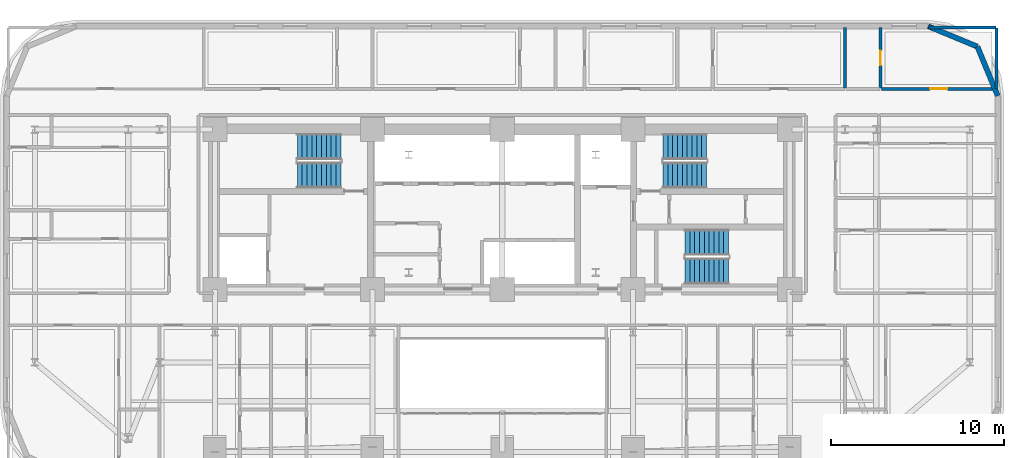
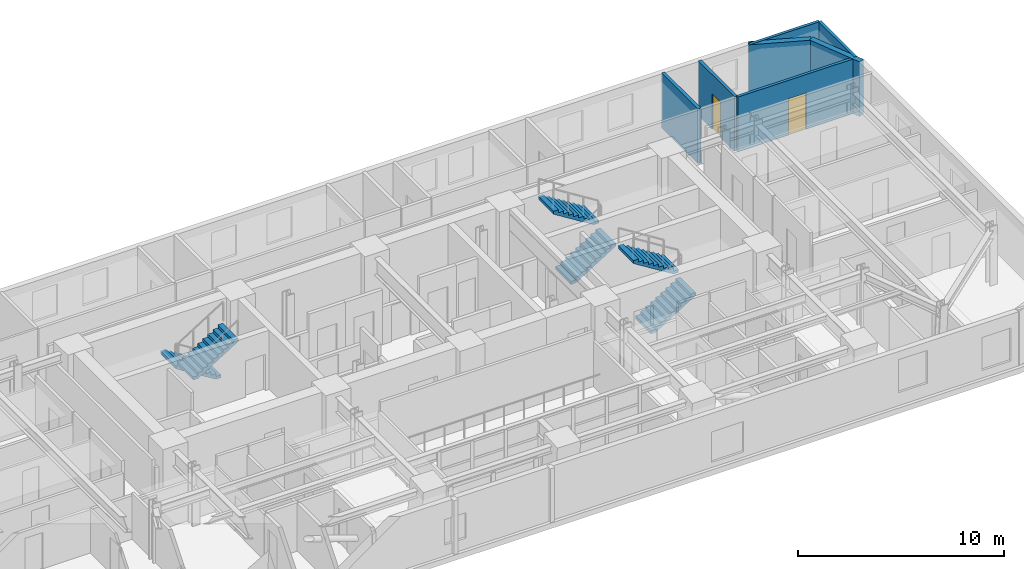
# One storey, part 13 of 16: 7 walls, 6 stair flights, 2 doors, 2 openings, 3 elements without a shape of their own.
"""IFC4 building model written with IfcOpenShell, lengths in metres."""

import ifcopenshell
import ifcopenshell.guid

model = None  # the IFC model being written
_history = None  # IfcOwnerHistory: only IFC2X3 demands one
_inside = {}  # id of a spatial element -> (the spatial element, [elements in it])
_under = {}  # id of a project, library or spatial element -> (it, [spatial elements below it])
_declared = {}  # id of a project -> (the project, [libraries it declares])
_typed = {}  # id of a type object -> (the type object, [elements of that type])
_made_of = {}  # id of a material, layer set ... -> (it, [elements and type objects made of it])


def new_model(schema):
    """Start an empty IFC model of exactly this schema.

    Asked for "IFC4X3", IfcOpenShell would pick the latest addendum, in which some entities
    have other attributes; the version numbers below select the first issue.
    IFC2X3 requires an IfcOwnerHistory on every rooted entity: one is made here for all.
    """
    global model, _history
    if schema == "IFC4X3":
        model = ifcopenshell.file(schema_version=(4, 3, 0, 0))
    else:
        model = ifcopenshell.file(schema=schema)
    _inside.clear()
    _under.clear()
    _declared.clear()
    _typed.clear()
    _made_of.clear()
    _history = None
    if model.schema == "IFC2X3":
        org = make("IfcOrganization", Name="unknown")
        user = make(
            "IfcPersonAndOrganization",
            ThePerson=make("IfcPerson", FamilyName="unknown"),
            TheOrganization=org,
        )
        app = make(
            "IfcApplication",
            ApplicationDeveloper=org,
            Version="unknown",
            ApplicationFullName="unknown",
            ApplicationIdentifier="unknown",
        )
        _history = make(
            "IfcOwnerHistory",
            OwningUser=user,
            OwningApplication=app,
            ChangeAction="ADDED",
            CreationDate=0,
        )
    return model


def make(cls, **values):
    """One entity of the class cls with the attributes given. An attribute that is None is left unset."""
    return model.create_entity(
        cls, **{name: value for name, value in values.items() if value is not None}
    )


def rooted(cls, **values):
    """An entity with a GlobalId (a new one), such as an element, a storey or a relation."""
    return make(cls, GlobalId=ifcopenshell.guid.new(), OwnerHistory=_history, **values)


def si_unit(unit_type, name, prefix=None):
    """IfcSIUnit, for example si_unit("LENGTHUNIT", "METRE", prefix="MILLI")."""
    return make("IfcSIUnit", UnitType=unit_type, Prefix=prefix, Name=name)


def assignment(units):
    """IfcUnitAssignment: the units of a project."""
    return None if units is None else make("IfcUnitAssignment", Units=units)


def point(xyz):
    """IfcCartesianPoint."""
    return None if xyz is None else make("IfcCartesianPoint", Coordinates=xyz)


def direction(xyz):
    """IfcDirection."""
    return None if xyz is None else make("IfcDirection", DirectionRatios=xyz)


def frame(location, z_axis=None, x_axis=None):
    """IfcAxis2Placement3D, a coordinate frame: its origin and axes. An axis left out is left unset."""
    return make(
        "IfcAxis2Placement3D",
        Location=point(location),
        Axis=direction(z_axis),
        RefDirection=direction(x_axis),
    )


def frame_2d(location, x_axis=None):
    """IfcAxis2Placement2D, a coordinate frame in the plane: its origin and x axis."""
    return make(
        "IfcAxis2Placement2D", Location=point(location), RefDirection=direction(x_axis)
    )


def origin():
    """The frame at (0, 0, 0) with its axes left unset."""
    return frame((0.0, 0.0, 0.0))


def place(relative_to, where):
    """IfcLocalPlacement: puts the frame where relative to a parent placement (None: the world)."""
    return make(
        "IfcLocalPlacement", PlacementRelTo=relative_to, RelativePlacement=where
    )


def context(
    kind, dimensions, precision=None, world=None, true_north=None, identifier=None
):
    """IfcGeometricRepresentationContext, for example the 3D "Model" context."""
    return make(
        "IfcGeometricRepresentationContext",
        ContextIdentifier=identifier,
        ContextType=kind,
        CoordinateSpaceDimension=dimensions,
        Precision=precision,
        WorldCoordinateSystem=world,
        TrueNorth=true_north,
    )


def subcontext(parent, identifier, kind, view, scale=None):
    """IfcGeometricRepresentationSubContext, for example "Body" below "Model"."""
    return make(
        "IfcGeometricRepresentationSubContext",
        ContextIdentifier=identifier,
        ContextType=kind,
        ParentContext=parent,
        TargetScale=scale,
        TargetView=view,
    )


def project(units=None, contexts=None):
    """IfcProject with its units and contexts."""
    return rooted(
        "IfcProject",
        Name="project",
        RepresentationContexts=contexts,
        UnitsInContext=assignment(units),
    )


def spatial(cls, under=None, at=None, **own):
    """A site, building, storey or space (cls), placed at a placement, below another one or the project."""
    s = rooted(cls, ObjectPlacement=at, **own)
    if under is not None:
        _under.setdefault(under.id(), (under, []))[1].append(s)
    return s


def polyline(points):
    """IfcPolyline through the points."""
    return make("IfcPolyline", Points=[point(p) for p in points])


def profile(cls, at=None, kind="AREA", **sizes):
    """A parametric profile (cls). Its sizes go by their IFC names, for example OverallWidth=200.0."""
    return make(cls, ProfileType=kind, Position=at, **sizes)


def rectangle(**sizes):
    """IfcRectangleProfileDef."""
    return profile("IfcRectangleProfileDef", **sizes)


def outline(outer, holes=None, kind="AREA"):
    """IfcArbitraryClosedProfileDef: a profile drawn as a closed curve; with holes, ...WithVoids."""
    if holes is None:
        return make("IfcArbitraryClosedProfileDef", ProfileType=kind, OuterCurve=outer)
    return make(
        "IfcArbitraryProfileDefWithVoids",
        ProfileType=kind,
        OuterCurve=outer,
        InnerCurves=holes,
    )


def extrude(swept, where, along, depth):
    """IfcExtrudedAreaSolid: the profile swept, set in the frame where, extruded along a direction by depth."""
    return make(
        "IfcExtrudedAreaSolid",
        SweptArea=swept,
        Position=where,
        ExtrudedDirection=direction(along),
        Depth=depth,
    )


def shape(context_of_items, identifier, shape_type, items):
    """IfcShapeRepresentation: the items that make up one representation, for example the "Body"."""
    return make(
        "IfcShapeRepresentation",
        ContextOfItems=context_of_items,
        RepresentationIdentifier=identifier,
        RepresentationType=shape_type,
        Items=items,
    )


def material(Name=None, Category=None):
    """IfcMaterial."""
    return make("IfcMaterial", Name=Name, Category=Category)


def layer(
    of_material, thickness, ventilated=None, Name=None, Category=None, Priority=None
):
    """IfcMaterialLayer: one layer of a wall or slab, of a material (None: an air gap)."""
    return make(
        "IfcMaterialLayer",
        Material=of_material,
        LayerThickness=thickness,
        IsVentilated=ventilated,
        Name=Name,
        Category=Category,
        Priority=Priority,
    )


def layer_set(layers, Name=None):
    """IfcMaterialLayerSet."""
    return make("IfcMaterialLayerSet", MaterialLayers=layers, LayerSetName=Name)


def made_of(thing, what):
    """Note that an element or type object is made of a material, layer set ...; save() writes the relation."""
    if what is not None:
        _made_of.setdefault(what.id(), (what, []))[1].append(thing)
    return thing


def type_object(cls, material=None, **own):
    """A type object (cls), such as IfcWallType, which elements share."""
    return made_of(rooted(cls, **own), material)


def element(
    cls,
    number,
    at=None,
    inside=None,
    cuts=None,
    type_object=None,
    material=None,
    context=None,
    identifier="Body",
    shape_type=None,
    held_by="IfcProductDefinitionShape",
    body=None,
    shapes=None,
    **own,
):
    """One element of the class cls, such as IfcWall. Its Tag is "e" and its number.

    at: its placement. inside: the storey or other place that contains it. cuts: it is an
    opening in that element (IfcRelVoidsElement). A single representation is given by context,
    identifier, shape_type and body (its items); several are given by shapes. held_by: the class
    of the entity that holds the representations. save() writes the other relations.
    """
    e = rooted(cls, Tag="e%d" % number, ObjectPlacement=at, **own)
    if body is not None:
        shapes = [shape(context, identifier, shape_type, body)]
    if shapes is not None:
        e.Representation = make(held_by, Representations=shapes)
    if inside is not None:
        _inside.setdefault(inside.id(), (inside, []))[1].append(e)
    if cuts is not None:
        rooted(
            "IfcRelVoidsElement", RelatingBuildingElement=cuts, RelatedOpeningElement=e
        )
    if type_object is not None:
        _typed.setdefault(type_object.id(), (type_object, []))[1].append(e)
    return made_of(e, material)


def fill(opening, filler):
    """IfcRelFillsElement: the door or window that sits in an opening."""
    return rooted(
        "IfcRelFillsElement",
        RelatingOpeningElement=opening,
        RelatedBuildingElement=filler,
    )


def aggregate(whole, parts):
    """IfcRelAggregates: a whole, such as a stair, and the parts it consists of."""
    return rooted("IfcRelAggregates", RelatingObject=whole, RelatedObjects=parts)


def save(model, path):
    """Write the relations noted so far, then the file.

    IfcRelAggregates (storeys below a building ...), IfcRelContainedInSpatialStructure (elements
    in a storey), IfcRelDefinesByType, IfcRelAssociatesMaterial and IfcRelDeclares: one each for
    every whole, place, type object, material and project.
    """
    for whole, parts in _under.values():
        aggregate(whole, parts)
    for where, things in _inside.values():
        rooted(
            "IfcRelContainedInSpatialStructure",
            RelatedElements=things,
            RelatingStructure=where,
        )
    for kind, things in _typed.values():
        rooted("IfcRelDefinesByType", RelatedObjects=things, RelatingType=kind)
    for what, things in _made_of.values():
        rooted("IfcRelAssociatesMaterial", RelatedObjects=things, RelatingMaterial=what)
    for by, libraries in _declared.values():
        rooted("IfcRelDeclares", RelatingContext=by, RelatedDefinitions=libraries)
    model.write(path)


model = new_model("IFC4")

# Units and contexts
model_context = context("Model", 3, precision=1e-05, world=origin(), true_north=direction((0.0, 1.0)))
body_context = subcontext(model_context, "Body", "Model", "MODEL_VIEW")
ifc_project = project(units=[si_unit("LENGTHUNIT", "METRE"), si_unit("AREAUNIT", "SQUARE_METRE"), si_unit("VOLUMEUNIT", "CUBIC_METRE"), si_unit("PLANEANGLEUNIT", "RADIAN"), si_unit("MASSUNIT", "GRAM", prefix="KILO")], contexts=[model_context])

# Site, building, storey
site_placement = place(None, origin())
site = spatial("IfcSite", under=ifc_project, at=site_placement, CompositionType="ELEMENT")
building_placement = place(site_placement, origin())
building = spatial("IfcBuilding", under=site, at=building_placement, Name="Zarnavel Station Tower", CompositionType="ELEMENT")
storey_placement = place(building_placement, frame((0.0, 0.0, 82.800048828125)))
storey = spatial("IfcBuildingStorey", under=building, at=storey_placement, Name="L22", CompositionType="ELEMENT", Elevation=82.800048828125)

# Walls
ifc_material_1 = material(Name="Precast concrete C45/55 (Dark Basalt Finish)", Category="masonry")
ifc_layer_1 = layer(ifc_material_1, 0.300048828125)
ifc_layer_set_1 = layer_set([ifc_layer_1], Name="EW_BASALT_300")
wall_type_1 = type_object("IfcWallType", Name="EW_BASALT_300", PredefinedType="SOLIDWALL", material=ifc_layer_set_1)
wall_1_placement = place(storey_placement, frame((56.24267578125, 41.842529296875, 0.0), z_axis=(0.0, 0.0, 1.0), x_axis=(0.382636798336, -0.92389884758, 0.0)))
element("IfcWall", 1, at=wall_1_placement, inside=storey, type_object=wall_type_1, Name="L22 Exterior Basalt Masonry Frame Wall 04", PredefinedType="SOLIDWALL", context=body_context, shape_type="SweptSolid", body=[
    extrude(rectangle(XDim=3.07666015625, YDim=0.300048828125, at=frame_2d((1.538330078125, 0.0))), origin(), (0.0, 0.0, 1.0), 3.239990234375),
])
wall_2_placement = place(storey_placement, frame((53.39990234375, 43.02001953125, 0.0), z_axis=(0.0, 0.0, 1.0), x_axis=(0.923882414032, -0.382676475685, 0.0)))
element("IfcWall", 2, at=wall_2_placement, inside=storey, type_object=wall_type_1, Name="L22 Exterior Basalt Masonry Frame Wall 05", PredefinedType="SOLIDWALL", context=body_context, shape_type="SweptSolid", body=[
    extrude(rectangle(XDim=3.076904296875, YDim=0.300048828125, at=frame_2d((1.53857421875, 0.0))), origin(), (0.0, 0.0, 1.0), 3.239990234375),
])

# Wall, opening, door
ifc_material_2 = material(Name="Gypsum Twin-Stud Acoustic Fire Partition", Category="concrete")
ifc_layer_2 = layer(ifc_material_2, 0.159912109375)
ifc_layer_set_2 = layer_set([ifc_layer_2], Name="PT_DEMISE_160")
wall_type_2 = type_object("IfcWallType", Name="PT_DEMISE_160", PredefinedType="PARTITIONING", material=ifc_layer_set_2)
wall_3_placement = place(storey_placement, frame((50.68994140625, 39.39990234375, 0.0), z_axis=(0.0, 0.0, 1.0), x_axis=(1.0, 0.0, 0.0)))
wall_3 = element("IfcWall", 3, at=wall_3_placement, inside=storey, type_object=wall_type_2, Name="L22 Partition COR-N-HN5R", PredefinedType="PARTITIONING", context=body_context, shape_type="SweptSolid", body=[
    extrude(rectangle(XDim=6.650146484375, YDim=0.159912109375, at=frame_2d((3.3251953125, 0.0))), origin(), (0.0, 0.0, 1.0), 3.239990234375),
])
opening_1_placement = place(wall_3_placement, frame((2.824951171875, 0.0, 0.0)))
opening_1 = element("IfcOpeningElement", 4, at=opening_1_placement, cuts=wall_3, Name="Opening FD02", PredefinedType="OPENING", context=body_context, shape_type="SweptSolid", body=[
    extrude(rectangle(XDim=1.0, YDim=2.14990234375, at=frame_2d((0.5, 1.074951171875))), frame((0.0, 0.08984375, 0.0), z_axis=(0.0, -1.0, 0.0), x_axis=(1.0, 0.0, 0.0)), (0.0, 0.0, 1.0), 0.179931640625),
])
ifc_material_3 = material(Name="Painted Galvanised Steel and Hardwood Leaf", Category="steel")
door_type_1 = type_object("IfcDoorType", Name="ID_ENTRY_1000", OperationType="NOTDEFINED", PredefinedType="DOOR", material=ifc_material_3)
door_1_placement = place(opening_1_placement, origin())
door_1 = element("IfcDoor", 5, at=door_1_placement, inside=storey, type_object=door_type_1, Name="L22 Door COR-N-HN5R", OperationType="SINGLE_SWING_RIGHT", OverallHeight=2.14990234375, OverallWidth=1.0, PredefinedType="DOOR", context=body_context, shape_type="SweptSolid", body=[
    extrude(rectangle(XDim=1.0, YDim=2.14990234375, at=frame_2d((0.5, 1.074951171875))), frame((0.0, 0.02490234375, 0.0), z_axis=(0.0, -1.0, 0.0), x_axis=(1.0, 0.0, 0.0)), (0.0, 0.0, 1.0), 0.050048828125),
])
fill(opening_1, door_1)

# Walls
wall_4_placement = place(storey_placement, frame((53.429931640625, 42.93994140625, 0.0), z_axis=(0.0, 0.0, 1.0), x_axis=(1.0, 0.0, 0.0)))
element("IfcWall", 6, at=wall_4_placement, inside=storey, type_object=wall_type_2, Name="L22 Enclosure Wall HN5R", PredefinedType="PARTITIONING", context=body_context, shape_type="SweptSolid", body=[
    extrude(rectangle(XDim=3.880126953125, YDim=0.159912109375, at=frame_2d((1.93994140625, 0.0))), origin(), (0.0, 0.0, 1.0), 3.239990234375),
])
wall_5_placement = place(storey_placement, frame((57.340087890625, 39.429931640625, 0.0), z_axis=(0.0, 0.0, 1.0), x_axis=(0.0, 1.0, 0.0)))
element("IfcWall", 7, at=wall_5_placement, inside=storey, type_object=wall_type_2, Name="L22 Enclosure Wall HN5R", PredefinedType="PARTITIONING", context=body_context, shape_type="SweptSolid", body=[
    extrude(rectangle(XDim=3.47998046875, YDim=0.159912109375, at=frame_2d((1.739990234375, 0.0))), origin(), (0.0, 0.0, 1.0), 3.239990234375),
])
ifc_material_4 = material(Name="Moisture-Resistant Plumbing Chase Wall", Category="concrete")
ifc_layer_3 = layer(ifc_material_4, 0.179931640625)
ifc_layer_set_3 = layer_set([ifc_layer_3], Name="PW_PLUMB_180")
wall_type_3 = type_object("IfcWallType", Name="PW_PLUMB_180", PredefinedType="PLUMBINGWALL", material=ifc_layer_set_3)
wall_6_placement = place(storey_placement, frame((48.60009765625, 39.43994140625, 0.0), z_axis=(0.0, 0.0, 1.0), x_axis=(0.0, 1.0, 0.0)))
element("IfcWall", 8, at=wall_6_placement, inside=storey, type_object=wall_type_3, Name="L22 Partition HN4R-HN5B", PredefinedType="PLUMBINGWALL", context=body_context, shape_type="SweptSolid", body=[
    extrude(rectangle(XDim=3.5, YDim=0.179931640625, at=frame_2d((1.75, 0.0))), origin(), (0.0, 0.0, 1.0), 3.239990234375),
])

# Wall, opening, door
wall_7_placement = place(storey_placement, frame((50.64990234375, 39.43994140625, 0.0), z_axis=(0.0, 0.0, 1.0), x_axis=(0.0, 1.0, 0.0)))
wall_7 = element("IfcWall", 9, at=wall_7_placement, inside=storey, type_object=wall_type_3, Name="L22 Partition HN5R-HN5B", PredefinedType="PLUMBINGWALL", context=body_context, shape_type="SweptSolid", body=[
    extrude(rectangle(XDim=3.5, YDim=0.179931640625, at=frame_2d((1.75, 0.0))), origin(), (0.0, 0.0, 1.0), 3.239990234375),
])
opening_2_placement = place(wall_7_placement, frame((1.324951171875, 0.0, 0.0)))
opening_2 = element("IfcOpeningElement", 10, at=opening_2_placement, cuts=wall_7, Name="Opening ID02", PredefinedType="OPENING", context=body_context, shape_type="SweptSolid", body=[
    extrude(rectangle(XDim=0.85009765625, YDim=2.10009765625, at=frame_2d((0.425048828125, 1.050048828125))), frame((0.0, 0.099853515625, 0.0), z_axis=(0.0, -1.0, 0.0), x_axis=(1.0, 0.0, 0.0)), (0.0, 0.0, 1.0), 0.199951171875),
])
ifc_material_5 = material(Name="Painted Galvanised Steel and Hardwood Leaf", Category="steel")
door_type_2 = type_object("IfcDoorType", Name="ID_BATH_850", OperationType="NOTDEFINED", PredefinedType="DOOR", material=ifc_material_5)
door_2_placement = place(opening_2_placement, origin())
door_2 = element("IfcDoor", 11, at=door_2_placement, inside=storey, type_object=door_type_2, Name="L22 Door HN5R-HN5B", OperationType="SINGLE_SWING_LEFT", OverallHeight=2.10009765625, OverallWidth=0.85009765625, PredefinedType="DOOR", context=body_context, shape_type="SweptSolid", body=[
    extrude(rectangle(XDim=0.85009765625, YDim=2.10009765625, at=frame_2d((0.425048828125, 1.050048828125))), frame((0.0, 0.02490234375, 0.0), z_axis=(0.0, -1.0, 0.0), x_axis=(1.0, 0.0, 0.0)), (0.0, 0.0, 1.0), 0.050048828125),
])
fill(opening_2, door_2)

# Stair, stair flights
ifc_material_6 = material(Name="Concrete C45/55", Category="concrete")
stair_type = type_object("IfcStairType", Name="ST_CORE_150", PredefinedType="HALF_TURN_STAIR", material=ifc_material_6)
stair_1_placement = place(storey_placement, origin())
stair_1 = element("IfcStair", 12, at=stair_1_placement, inside=storey, type_object=stair_type, Name="L22 Core Exit Stair ST1", PredefinedType="HALF_TURN_STAIR")
ifc_material_7 = material(Name="Concrete C45/55", Category="concrete")
ifc_layer_4 = layer(ifc_material_7, 0.179931640625)
ifc_layer_set_4 = layer_set([ifc_layer_4], Name="ST_CORE_150_FLT")
stair_flight_type = type_object("IfcStairFlightType", Name="ST_CORE_150_FLT", PredefinedType="STRAIGHT", material=ifc_layer_set_4)
stair_flight_1_placement = place(storey_placement, frame((19.47998046875, 36.070068359375, 0.0), z_axis=(0.0, 0.0, 1.0), x_axis=(-1.0, 0.0, 0.0)))
stair_flight_1 = element("IfcStairFlight", 13, at=stair_flight_1_placement, type_object=stair_flight_type, Name="ST1 flight 1", NumberOfRisers=10, NumberOfTreads=9, PredefinedType="STRAIGHT", RiserHeight=0.175, TreadLength=0.28, context=body_context, shape_type="SweptSolid", body=[
    extrude(outline(polyline([(0.0, 0.0), (0.0, 0.175048828125), (0.280029296875, 0.175048828125), (0.280029296875, 0.35009765625), (0.56005859375, 0.35009765625), (0.56005859375, 0.52490234375), (0.840087890625, 0.52490234375), (0.840087890625, 0.699951171875), (1.1201171875, 0.699951171875), (1.1201171875, 0.875), (1.39990234375, 0.875), (1.39990234375, 1.050048828125), (1.679931640625, 1.050048828125), (1.679931640625, 1.22509765625), (1.9599609375, 1.22509765625), (1.9599609375, 1.39990234375), (2.239990234375, 1.39990234375), (2.239990234375, 1.574951171875), (2.52001953125, 1.574951171875), (2.52001953125, 1.75), (2.52001953125, 1.398193359375), (0.28271484375, 0.0), (0.0, 0.0)])), frame((0.0, 0.75, 0.0), z_axis=(0.0, -1.0, 0.0), x_axis=(1.0, 0.0, 0.0)), (0.0, 0.0, 1.0), 1.5),
])
stair_flight_2_placement = place(storey_placement, frame((16.9599609375, 34.409912109375, 1.75), z_axis=(0.0, 0.0, 1.0), x_axis=(1.0, 0.0, 0.0)))
stair_flight_2 = element("IfcStairFlight", 14, at=stair_flight_2_placement, type_object=stair_flight_type, Name="ST1 flight 2", NumberOfRisers=10, NumberOfTreads=9, PredefinedType="STRAIGHT", RiserHeight=0.175, TreadLength=0.28, context=body_context, shape_type="SweptSolid", body=[
    extrude(outline(polyline([(0.0, 0.0), (0.0, 0.175048828125), (0.280029296875, 0.175048828125), (0.280029296875, 0.35009765625), (0.56005859375, 0.35009765625), (0.56005859375, 0.52490234375), (0.840087890625, 0.52490234375), (0.840087890625, 0.699951171875), (1.1201171875, 0.699951171875), (1.1201171875, 0.875), (1.39990234375, 0.875), (1.39990234375, 1.050048828125), (1.679931640625, 1.050048828125), (1.679931640625, 1.22509765625), (1.9599609375, 1.22509765625), (1.9599609375, 1.39990234375), (2.239990234375, 1.39990234375), (2.239990234375, 1.574951171875), (2.52001953125, 1.574951171875), (2.52001953125, 1.75), (2.52001953125, 1.398193359375), (0.28271484375, 0.0), (0.0, 0.0)])), frame((0.0, 0.75, 0.0), z_axis=(0.0, -1.0, 0.0), x_axis=(1.0, 0.0, 0.0)), (0.0, 0.0, 1.0), 1.5),
])
aggregate(stair_1, [stair_flight_1, stair_flight_2])

stair_2_placement = place(storey_placement, origin())
stair_2 = element("IfcStair", 15, at=stair_2_placement, inside=storey, type_object=stair_type, Name="L22 Core Exit Stair ST2", PredefinedType="HALF_TURN_STAIR")
stair_flight_3_placement = place(storey_placement, frame((38.080078125, 34.409912109375, 0.0), z_axis=(0.0, 0.0, 1.0), x_axis=(1.0, 0.0, 0.0)))
stair_flight_3 = element("IfcStairFlight", 16, at=stair_flight_3_placement, type_object=stair_flight_type, Name="ST2 flight 1", NumberOfRisers=10, NumberOfTreads=9, PredefinedType="STRAIGHT", RiserHeight=0.175, TreadLength=0.28, context=body_context, shape_type="SweptSolid", body=[
    extrude(outline(polyline([(0.0, 0.0), (0.0, 0.175048828125), (0.280029296875, 0.175048828125), (0.280029296875, 0.35009765625), (0.56005859375, 0.35009765625), (0.56005859375, 0.52490234375), (0.840087890625, 0.52490234375), (0.840087890625, 0.699951171875), (1.1201171875, 0.699951171875), (1.1201171875, 0.875), (1.39990234375, 0.875), (1.39990234375, 1.050048828125), (1.679931640625, 1.050048828125), (1.679931640625, 1.22509765625), (1.9599609375, 1.22509765625), (1.9599609375, 1.39990234375), (2.239990234375, 1.39990234375), (2.239990234375, 1.574951171875), (2.52001953125, 1.574951171875), (2.52001953125, 1.75), (2.52001953125, 1.398193359375), (0.28271484375, 0.0), (0.0, 0.0)])), frame((0.0, 0.75, 0.0), z_axis=(0.0, -1.0, 0.0), x_axis=(1.0, 0.0, 0.0)), (0.0, 0.0, 1.0), 1.5),
])
stair_flight_4_placement = place(storey_placement, frame((40.60009765625, 36.070068359375, 1.75), z_axis=(0.0, 0.0, 1.0), x_axis=(-1.0, 0.0, 0.0)))
stair_flight_4 = element("IfcStairFlight", 17, at=stair_flight_4_placement, type_object=stair_flight_type, Name="ST2 flight 2", NumberOfRisers=10, NumberOfTreads=9, PredefinedType="STRAIGHT", RiserHeight=0.175, TreadLength=0.28, context=body_context, shape_type="SweptSolid", body=[
    extrude(outline(polyline([(0.0, 0.0), (0.0, 0.175048828125), (0.280029296875, 0.175048828125), (0.280029296875, 0.35009765625), (0.56005859375, 0.35009765625), (0.56005859375, 0.52490234375), (0.840087890625, 0.52490234375), (0.840087890625, 0.699951171875), (1.1201171875, 0.699951171875), (1.1201171875, 0.875), (1.39990234375, 0.875), (1.39990234375, 1.050048828125), (1.679931640625, 1.050048828125), (1.679931640625, 1.22509765625), (1.9599609375, 1.22509765625), (1.9599609375, 1.39990234375), (2.239990234375, 1.39990234375), (2.239990234375, 1.574951171875), (2.52001953125, 1.574951171875), (2.52001953125, 1.75), (2.52001953125, 1.398193359375), (0.28271484375, 0.0), (0.0, 0.0)])), frame((0.0, 0.75, 0.0), z_axis=(0.0, -1.0, 0.0), x_axis=(1.0, 0.0, 0.0)), (0.0, 0.0, 1.0), 1.5),
])
aggregate(stair_2, [stair_flight_3, stair_flight_4])

stair_3_placement = place(storey_placement, origin())
stair_3 = element("IfcStair", 18, at=stair_3_placement, inside=storey, type_object=stair_type, Name="L22 Core Exit Stair ST3", PredefinedType="HALF_TURN_STAIR")
stair_flight_5_placement = place(storey_placement, frame((39.35009765625, 28.8701171875, 0.0), z_axis=(0.0, 0.0, 1.0), x_axis=(1.0, 0.0, 0.0)))
stair_flight_5 = element("IfcStairFlight", 19, at=stair_flight_5_placement, type_object=stair_flight_type, Name="ST3 flight 1", NumberOfRisers=10, NumberOfTreads=9, PredefinedType="STRAIGHT", RiserHeight=0.175, TreadLength=0.28, context=body_context, shape_type="SweptSolid", body=[
    extrude(outline(polyline([(0.0, 0.0), (0.0, 0.175048828125), (0.280029296875, 0.175048828125), (0.280029296875, 0.35009765625), (0.56005859375, 0.35009765625), (0.56005859375, 0.52490234375), (0.840087890625, 0.52490234375), (0.840087890625, 0.699951171875), (1.1201171875, 0.699951171875), (1.1201171875, 0.875), (1.39990234375, 0.875), (1.39990234375, 1.050048828125), (1.679931640625, 1.050048828125), (1.679931640625, 1.22509765625), (1.9599609375, 1.22509765625), (1.9599609375, 1.39990234375), (2.239990234375, 1.39990234375), (2.239990234375, 1.574951171875), (2.52001953125, 1.574951171875), (2.52001953125, 1.75), (2.52001953125, 1.398193359375), (0.28271484375, 0.0), (0.0, 0.0)])), frame((0.0, 0.75, 0.0), z_axis=(0.0, -1.0, 0.0), x_axis=(1.0, 0.0, 0.0)), (0.0, 0.0, 1.0), 1.5),
])
stair_flight_6_placement = place(storey_placement, frame((41.8701171875, 30.530029296875, 1.75), z_axis=(0.0, 0.0, 1.0), x_axis=(-1.0, 0.0, 0.0)))
stair_flight_6 = element("IfcStairFlight", 20, at=stair_flight_6_placement, type_object=stair_flight_type, Name="ST3 flight 2", NumberOfRisers=10, NumberOfTreads=9, PredefinedType="STRAIGHT", RiserHeight=0.175, TreadLength=0.28, context=body_context, shape_type="SweptSolid", body=[
    extrude(outline(polyline([(0.0, 0.0), (0.0, 0.175048828125), (0.280029296875, 0.175048828125), (0.280029296875, 0.35009765625), (0.56005859375, 0.35009765625), (0.56005859375, 0.52490234375), (0.840087890625, 0.52490234375), (0.840087890625, 0.699951171875), (1.1201171875, 0.699951171875), (1.1201171875, 0.875), (1.39990234375, 0.875), (1.39990234375, 1.050048828125), (1.679931640625, 1.050048828125), (1.679931640625, 1.22509765625), (1.9599609375, 1.22509765625), (1.9599609375, 1.39990234375), (2.239990234375, 1.39990234375), (2.239990234375, 1.574951171875), (2.52001953125, 1.574951171875), (2.52001953125, 1.75), (2.52001953125, 1.398193359375), (0.28271484375, 0.0), (0.0, 0.0)])), frame((0.0, 0.75, 0.0), z_axis=(0.0, -1.0, 0.0), x_axis=(1.0, 0.0, 0.0)), (0.0, 0.0, 1.0), 1.5),
])
aggregate(stair_3, [stair_flight_5, stair_flight_6])

save(model, "model.ifc")
